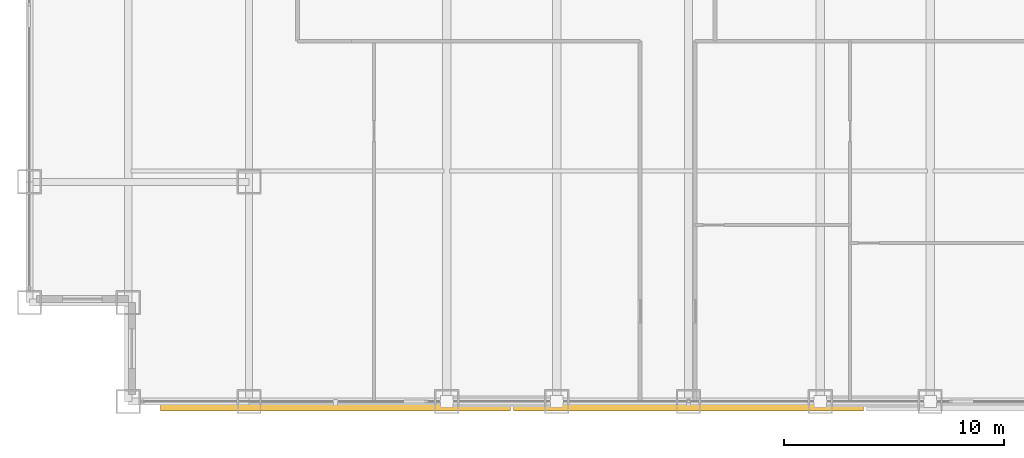
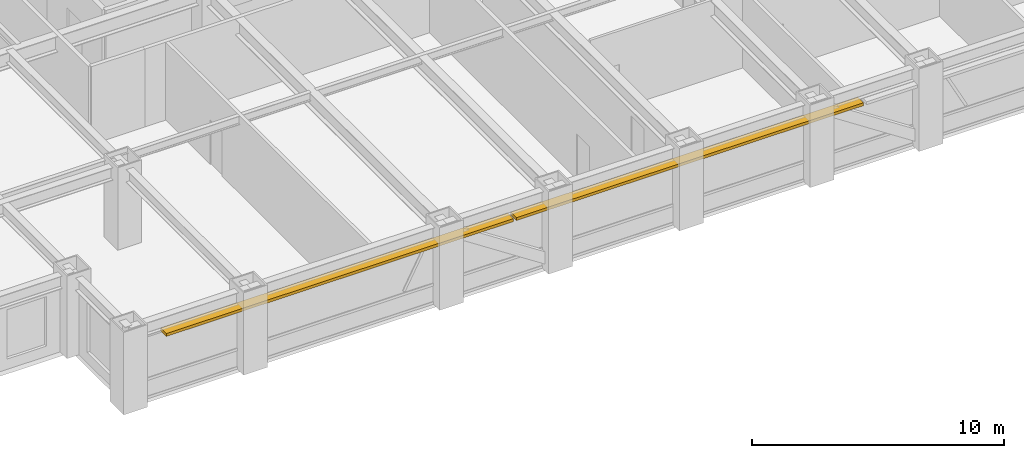
# One storey, part 24 of 28: 2 shading devices.
"""IFC4 building model written with IfcOpenShell, lengths in metres."""

from ifc_helpers import new_model, si_unit, direction, frame, origin, origin_2d, place, context, subcontext, project, spatial, rectangle, extrude, source, transform, mapped, material, layer, layer_set, type_object, element, save


model = new_model("IFC4")

# Units and contexts
model_context = context("Model", 3, precision=1e-05, world=origin(), true_north=direction((0.0, 1.0)))
body_context = subcontext(model_context, "Body", "Model", "MODEL_VIEW")
ifc_project = project(units=[si_unit("LENGTHUNIT", "METRE"), si_unit("AREAUNIT", "SQUARE_METRE"), si_unit("VOLUMEUNIT", "CUBIC_METRE"), si_unit("PLANEANGLEUNIT", "RADIAN"), si_unit("MASSUNIT", "GRAM", prefix="KILO")], contexts=[model_context])

# Site, building, storey
site_placement = place(None, origin())
site = spatial("IfcSite", under=ifc_project, at=site_placement, CompositionType="ELEMENT")
building_placement = place(site_placement, origin())
building = spatial("IfcBuilding", under=site, at=building_placement, Name="Khorayat Bourse Tower", CompositionType="ELEMENT")
storey_placement = place(building_placement, frame((0.0, 0.0, 183.10009765625)))
storey = spatial("IfcBuildingStorey", under=building, at=storey_placement, Name="L42", CompositionType="ELEMENT", Elevation=183.10009765625)

# Shading devices
ifc_material = material(Name="Precast concrete C45/55", Category="concrete")
ifc_layer = layer(ifc_material, 0.139892578125)
ifc_layer_set = layer_set([ifc_layer], Name="Precast concrete C45/55")
shading_device_type = type_object("IfcShadingDeviceType", Name="SHD-WAVE-TRAY-A", PredefinedType="USERDEFINED", material=ifc_layer_set)
shared_shape_1 = source(origin(), body_context, "Body", "SweptSolid", [
    extrude(rectangle(XDim=15.9267578125, YDim=0.456787109375, at=origin_2d()), origin(), (0.0, 0.0, 1.0), 0.139892578125),
])
shading_device_1_placement = place(storey_placement, frame((-16.066650390625, -30.20849609375, 3.02978515625), z_axis=(0.0, 0.0, 1.0), x_axis=(1.0, 0.0, 0.0)))
element("IfcShadingDevice", 1, at=shading_device_1_placement, inside=storey, type_object=shading_device_type, Name="L42 Sinusoidal Wave Sunshade Tray S-1", ObjectType="SUNSHADE", PredefinedType="USERDEFINED", context=body_context, shape_type="MappedRepresentation", body=[
    mapped(shared_shape_1, transform((0.0, 0.0, 0.0), scale=1.0)),
])
shared_shape_2 = source(origin(), body_context, "Body", "SweptSolid", [
    extrude(rectangle(XDim=15.9267578125, YDim=0.458984375, at=origin_2d()), origin(), (0.0, 0.0, 1.0), 0.139892578125),
])
shading_device_2_placement = place(storey_placement, frame((0.0, -30.209716796875, 3.02978515625), z_axis=(0.0, 0.0, 1.0), x_axis=(1.0, 0.0, 0.0)))
element("IfcShadingDevice", 2, at=shading_device_2_placement, inside=storey, type_object=shading_device_type, Name="L42 Sinusoidal Wave Sunshade Tray S-2", ObjectType="SUNSHADE", PredefinedType="USERDEFINED", context=body_context, shape_type="MappedRepresentation", body=[
    mapped(shared_shape_2, transform((0.0, 0.0, 0.0), scale=1.0)),
])

save(model, "model.ifc")
